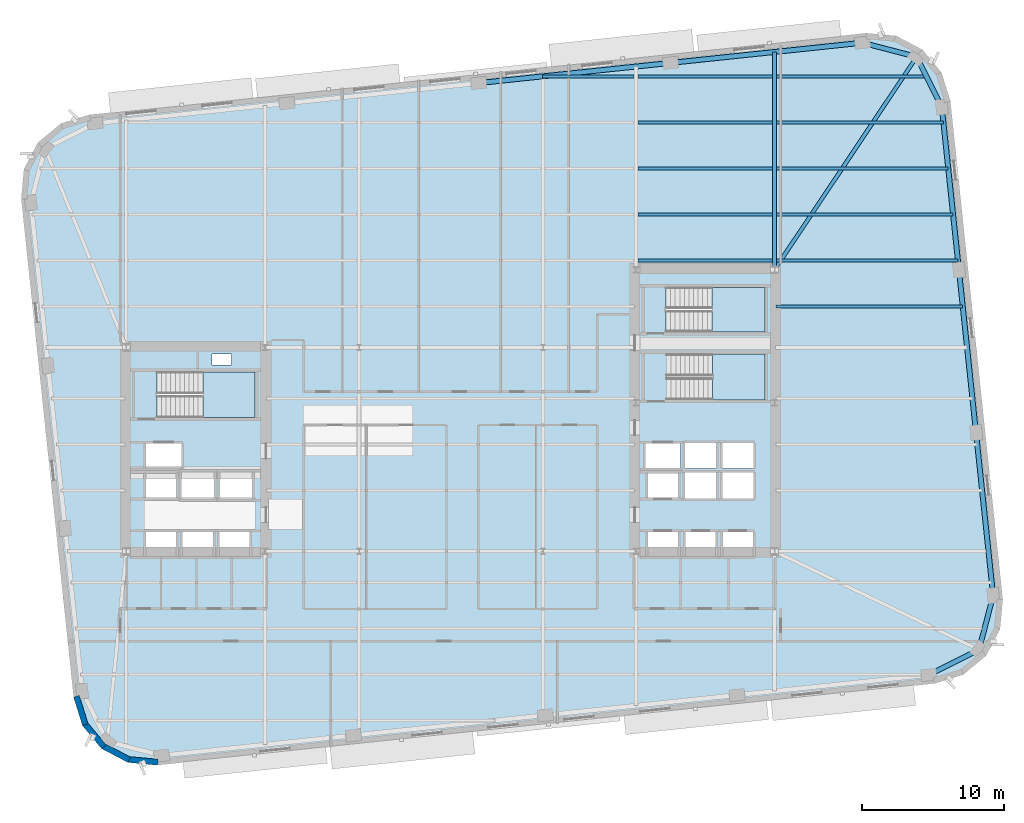
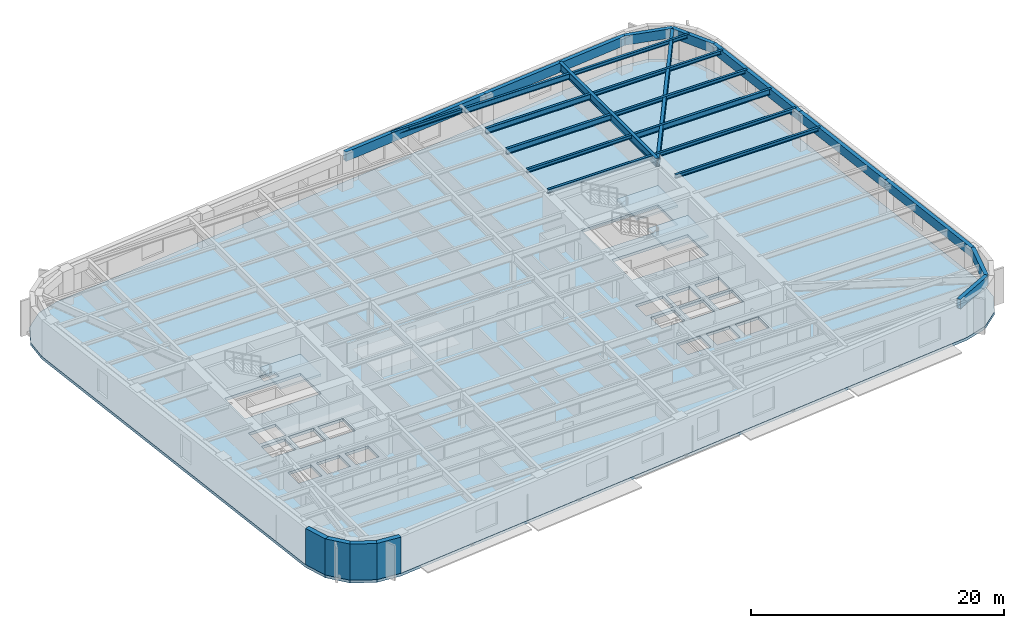
# One storey, part 3 of 15: 23 beams, 4 slabs, 4 walls, 3 elements without a shape of their own.
"""IFC4 building model written with IfcOpenShell, lengths in metres."""

from ifc_helpers import new_model, si_unit, direction, frame, frame_2d, origin, origin_2d, place, context, subcontext, project, spatial, polyline, rectangle, hollow_rectangle, i_section, outline, extrude, material, layer, layer_set, material_profile, profile_set, type_object, element, aggregate, save


model = new_model("IFC4")

# Units and contexts
model_context = context("Model", 3, precision=1e-05, world=origin(), true_north=direction((0.0, 1.0)))
body_context = subcontext(model_context, "Body", "Model", "MODEL_VIEW")
ifc_project = project(units=[si_unit("LENGTHUNIT", "METRE"), si_unit("AREAUNIT", "SQUARE_METRE"), si_unit("VOLUMEUNIT", "CUBIC_METRE"), si_unit("PLANEANGLEUNIT", "RADIAN"), si_unit("MASSUNIT", "GRAM", prefix="KILO")], contexts=[model_context])

# Site, building, storey
site_placement = place(None, origin())
site = spatial("IfcSite", under=ifc_project, at=site_placement, CompositionType="ELEMENT")
building_placement = place(site_placement, origin())
building = spatial("IfcBuilding", under=site, at=building_placement, Name="Kolvaren Arena Tower", CompositionType="ELEMENT")
storey_placement = place(building_placement, frame((0.0, 0.0, 107.199951171875)))
storey = spatial("IfcBuildingStorey", under=building, at=storey_placement, Name="L24", CompositionType="ELEMENT", Elevation=107.199951171875)

# Beams
ifc_material_1 = material(Name="Steel CSA G40.21 350W", Category="steel")
ifc_material_profile_1 = material_profile(ifc_material_1, i_section(OverallWidth=0.2119140625, OverallDepth=0.54296875, WebThickness=0.01318359375, FlangeThickness=0.0244140625, FilletRadius=0.013916015625, at=origin_2d()), Name="W530x150")
ifc_profile_set_1 = profile_set([ifc_material_profile_1], Name="Steel CSA G40.21 350W")
beam_type_1 = type_object("IfcBeamType", Name="BEAM-F1", PredefinedType="BEAM", material=ifc_profile_set_1)
beam_1_placement = place(storey_placement, frame((60.485107421875, 43.25, 3.20849609375), z_axis=(1.0, 0.0, 0.0), x_axis=(0.0, 1.0, 0.0)))
element("IfcBeam", 1, at=beam_1_placement, inside=storey, type_object=beam_type_1, Name="Composite Floor Beam (L24)", PredefinedType="BEAM", context=body_context, shape_type="SweptSolid", body=[
    extrude(i_section(OverallWidth=0.2119140625, OverallDepth=0.54296875, WebThickness=0.01318359375, FlangeThickness=0.0244140625, FilletRadius=0.013916015625, at=origin_2d()), origin(), (0.0, 0.0, 1.0), 12.471435546875),
])
for number, where, z_axis, x_axis, name in (
    (2, (50.68505859375, 46.5, 3.20849609375), (1.0, 0.0, 0.0), (0.0, 1.0, 0.0), "Composite Floor Beam (L24)"),
    (3, (50.68505859375, 49.75, 3.20849609375), (1.0, 0.0, 0.0), (0.0, 1.0, 0.0), "Composite Floor Beam (L24)"),
    (4, (50.68505859375, 53.0, 3.20849609375), (1.0, 0.0, 0.0), (0.0, 1.0, 0.0), "Composite Floor Beam (L24)"),
):
    element("IfcBeam", number, at=place(storey_placement, frame(where, z_axis=z_axis, x_axis=x_axis)), inside=storey, type_object=beam_type_1, Name=name, PredefinedType="BEAM", context=body_context, shape_type="SweptSolid", body=[
        extrude(i_section(OverallWidth=0.2119140625, OverallDepth=0.54296875, WebThickness=0.01318359375, FlangeThickness=0.0244140625, FilletRadius=0.013916015625, at=origin_2d()), origin(), (0.0, 0.0, 1.0), 9.530029296875),
    ])
ifc_material_profile_2 = material_profile(ifc_material_1, i_section(OverallWidth=0.27001953125, OverallDepth=0.77294921875, WebThickness=0.019287109375, FlangeThickness=0.033447265625, FilletRadius=0.01806640625, at=origin_2d()), Name="W760x257")
ifc_profile_set_2 = profile_set([ifc_material_profile_2], Name="Steel CSA G40.21 350W")
beam_type_2 = type_object("IfcBeamType", Name="GIRD-T1", PredefinedType="BEAM", material=ifc_profile_set_2)
beam_2_placement = place(storey_placement, frame((70.387939453125, 54.37939453125, 3.093505859375), z_axis=(-0.555401401293, -0.831582397266, 0.0), x_axis=(0.831582397266, -0.555401401293, 0.0)))
element("IfcBeam", 5, at=beam_2_placement, inside=storey, type_object=beam_type_2, Name="Corner Diagonal Tie Girder (L24)", PredefinedType="BEAM", context=body_context, shape_type="SweptSolid", body=[
    extrude(i_section(OverallWidth=0.27001953125, OverallDepth=0.77294921875, WebThickness=0.019287109375, FlangeThickness=0.033447265625, FilletRadius=0.01806640625, at=origin_2d()), origin(), (0.0, 0.0, 1.0), 18.0732421875),
])
beam_3_placement = place(storey_placement, frame((60.35009765625, 39.405029296875, 3.093505859375), z_axis=(0.0, 1.0, 0.0), x_axis=(-1.0, 0.0, 0.0)))
element("IfcBeam", 6, at=beam_3_placement, inside=storey, type_object=beam_type_2, Name="Primary Floor Girder (L24)", PredefinedType="BEAM", context=body_context, shape_type="SweptSolid", body=[
    extrude(i_section(OverallWidth=0.27001953125, OverallDepth=0.77294921875, WebThickness=0.019287109375, FlangeThickness=0.033447265625, FilletRadius=0.01806640625, at=origin_2d()), origin(), (0.0, 0.0, 1.0), 15.318359375),
])
ifc_material_profile_3 = material_profile(ifc_material_1, i_section(OverallWidth=0.202880859375, OverallDepth=0.346923828125, WebThickness=0.0078125, FlangeThickness=0.013427734375, FilletRadius=0.010986328125, at=origin_2d()), Name="W360x64")
ifc_profile_set_3 = profile_set([ifc_material_profile_3], Name="Steel CSA G40.21 350W")
beam_type_3 = type_object("IfcBeamType", Name="JOIST-01", PredefinedType="JOIST", material=ifc_profile_set_3)
beam_4_placement = place(storey_placement, frame((60.445068359375, 36.75, 3.306640625), z_axis=(1.0, 0.0, 0.0), x_axis=(0.0, 1.0, 0.0)))
element("IfcBeam", 7, at=beam_4_placement, inside=storey, type_object=beam_type_3, Name="Composite Floor Joist (L24)", PredefinedType="JOIST", context=body_context, shape_type="SweptSolid", body=[
    extrude(i_section(OverallWidth=0.202880859375, OverallDepth=0.346923828125, WebThickness=0.0078125, FlangeThickness=0.013427734375, FilletRadius=0.010986328125, at=origin_2d()), origin(), (0.0, 0.0, 1.0), 13.19482421875),
])
beam_5_placement = place(storey_placement, frame((50.68505859375, 40.0, 3.306640625), z_axis=(1.0, 0.0, 0.0), x_axis=(0.0, 1.0, 0.0)))
element("IfcBeam", 8, at=beam_5_placement, inside=storey, type_object=beam_type_3, Name="Composite Floor Joist (L24)", PredefinedType="JOIST", context=body_context, shape_type="SweptSolid", body=[
    extrude(i_section(OverallWidth=0.202880859375, OverallDepth=0.346923828125, WebThickness=0.0078125, FlangeThickness=0.013427734375, FilletRadius=0.010986328125, at=origin_2d()), origin(), (0.0, 0.0, 1.0), 9.530029296875),
])
beam_6_placement = place(storey_placement, frame((60.485107421875, 40.0, 3.306640625), z_axis=(1.0, 0.0, 0.0), x_axis=(0.0, 1.0, 0.0)))
element("IfcBeam", 9, at=beam_6_placement, inside=storey, type_object=beam_type_3, Name="Composite Floor Joist (L24)", PredefinedType="JOIST", context=body_context, shape_type="SweptSolid", body=[
    extrude(i_section(OverallWidth=0.202880859375, OverallDepth=0.346923828125, WebThickness=0.0078125, FlangeThickness=0.013427734375, FilletRadius=0.010986328125, at=origin_2d()), origin(), (0.0, 0.0, 1.0), 12.81298828125),
])
beam_7_placement = place(storey_placement, frame((50.68505859375, 43.25, 3.306640625), z_axis=(1.0, 0.0, 0.0), x_axis=(0.0, 1.0, 0.0)))
element("IfcBeam", 10, at=beam_7_placement, inside=storey, type_object=beam_type_3, Name="Composite Floor Joist (L24)", PredefinedType="JOIST", context=body_context, shape_type="SweptSolid", body=[
    extrude(i_section(OverallWidth=0.202880859375, OverallDepth=0.346923828125, WebThickness=0.0078125, FlangeThickness=0.013427734375, FilletRadius=0.010986328125, at=origin_2d()), origin(), (0.0, 0.0, 1.0), 9.530029296875),
])
beam_8_placement = place(storey_placement, frame((60.485107421875, 46.5, 3.306640625), z_axis=(1.0, 0.0, 0.0), x_axis=(0.0, 1.0, 0.0)))
element("IfcBeam", 11, at=beam_8_placement, inside=storey, type_object=beam_type_3, Name="Composite Floor Joist (L24)", PredefinedType="JOIST", context=body_context, shape_type="SweptSolid", body=[
    extrude(i_section(OverallWidth=0.202880859375, OverallDepth=0.346923828125, WebThickness=0.0078125, FlangeThickness=0.013427734375, FilletRadius=0.010986328125, at=origin_2d()), origin(), (0.0, 0.0, 1.0), 12.1298828125),
])
beam_9_placement = place(storey_placement, frame((60.485107421875, 49.75, 3.306640625), z_axis=(1.0, 0.0, 0.0), x_axis=(0.0, 1.0, 0.0)))
element("IfcBeam", 12, at=beam_9_placement, inside=storey, type_object=beam_type_3, Name="Composite Floor Joist (L24)", PredefinedType="JOIST", context=body_context, shape_type="SweptSolid", body=[
    extrude(i_section(OverallWidth=0.202880859375, OverallDepth=0.346923828125, WebThickness=0.0078125, FlangeThickness=0.013427734375, FilletRadius=0.010986328125, at=origin_2d()), origin(), (0.0, 0.0, 1.0), 11.788330078125),
])
beam_10_placement = place(storey_placement, frame((43.95361328125, 53.0, 3.306640625), z_axis=(1.0, 0.0, 0.0), x_axis=(0.0, 1.0, 0.0)))
element("IfcBeam", 13, at=beam_10_placement, inside=storey, type_object=beam_type_3, Name="Composite Floor Joist (L24)", PredefinedType="JOIST", context=body_context, shape_type="SweptSolid", body=[
    extrude(i_section(OverallWidth=0.202880859375, OverallDepth=0.346923828125, WebThickness=0.0078125, FlangeThickness=0.013427734375, FilletRadius=0.010986328125, at=origin_2d()), origin(), (0.0, 0.0, 1.0), 6.46142578125),
])
beam_11_placement = place(storey_placement, frame((60.485107421875, 53.0, 3.306640625), z_axis=(1.0, 0.0, 0.0), x_axis=(0.0, 1.0, 0.0)))
element("IfcBeam", 14, at=beam_11_placement, inside=storey, type_object=beam_type_3, Name="Composite Floor Joist (L24)", PredefinedType="JOIST", context=body_context, shape_type="SweptSolid", body=[
    extrude(i_section(OverallWidth=0.202880859375, OverallDepth=0.346923828125, WebThickness=0.0078125, FlangeThickness=0.013427734375, FilletRadius=0.010986328125, at=origin_2d()), origin(), (0.0, 0.0, 1.0), 10.592529296875),
])
ifc_material_2 = material(Name="Steel CSA G40.21 350WT", Category="steel")
ifc_material_profile_4 = material_profile(ifc_material_2, hollow_rectangle(XDim=0.35009765625, YDim=0.89990234375, WallThickness=0.02001953125, at=origin_2d()), Name="HSS 900x350x20")
ifc_profile_set_4 = profile_set([ifc_material_profile_4], Name="Steel CSA G40.21 350WT")
beam_type_4 = type_object("IfcBeamType", Name="SPAND-01", PredefinedType="SPANDREL", material=ifc_profile_set_4)
for number, where, z_axis, x_axis, name in (
    (15, (71.247314453125, 10.721435546875, 3.030029296875), (0.894451843771, 0.44716428656, 0.0), (-0.44716428656, 0.894451843771, 0.0), "Perimeter Spandrel Beam (L24)"),
    (16, (74.790283203125, 12.49267578125, 3.030029296875), (0.251473350892, 0.967864222808, 0.0), (-0.967864222808, 0.251473350892, 0.0), "Perimeter Spandrel Beam (L24)"),
):
    element("IfcBeam", number, at=place(storey_placement, frame(where, z_axis=z_axis, x_axis=x_axis)), inside=storey, type_object=beam_type_4, Name=name, PredefinedType="SPANDREL", context=body_context, shape_type="SweptSolid", body=[
        extrude(hollow_rectangle(XDim=0.35009765625, YDim=0.89990234375, WallThickness=0.02001953125, at=origin_2d()), origin(), (0.0, 0.0, 1.0), 3.9609375),
    ])
beam_12_placement = place(storey_placement, frame((75.786376953125, 16.326416015625, 3.030029296875), z_axis=(-0.104522171998, 0.994522556587, 0.0), x_axis=(-0.994522556587, -0.104522171998, 0.0)))
element("IfcBeam", 17, at=beam_12_placement, inside=storey, type_object=beam_type_4, Name="Perimeter Spandrel Beam (L24)", PredefinedType="SPANDREL", context=body_context, shape_type="SweptSolid", body=[
    extrude(hollow_rectangle(XDim=0.35009765625, YDim=0.89990234375, WallThickness=0.02001953125, at=origin_2d()), origin(), (0.0, 0.0, 1.0), 11.56689453125),
])
beam_13_placement = place(storey_placement, frame((74.577392578125, 27.829833984375, 3.030029296875), z_axis=(-0.104524366116, 0.994522325988, 0.0), x_axis=(-0.994522325988, -0.104524366116, 0.0)))
element("IfcBeam", 18, at=beam_13_placement, inside=storey, type_object=beam_type_4, Name="Perimeter Spandrel Beam (L24)", PredefinedType="SPANDREL", context=body_context, shape_type="SweptSolid", body=[
    extrude(hollow_rectangle(XDim=0.35009765625, YDim=0.89990234375, WallThickness=0.02001953125, at=origin_2d()), origin(), (0.0, 0.0, 1.0), 11.566650390625),
])
beam_14_placement = place(storey_placement, frame((73.368408203125, 39.3330078125, 3.030029296875), z_axis=(-0.104543048399, 0.994520362301, 0.0), x_axis=(-0.994520362301, -0.104543048399, 0.0)))
element("IfcBeam", 19, at=beam_14_placement, inside=storey, type_object=beam_type_4, Name="Perimeter Spandrel Beam (L24)", PredefinedType="SPANDREL", context=body_context, shape_type="SweptSolid", body=[
    extrude(hollow_rectangle(XDim=0.35009765625, YDim=0.89990234375, WallThickness=0.02001953125, at=origin_2d()), origin(), (0.0, 0.0, 1.0), 11.56689453125),
])
for number, where, z_axis, x_axis, name in (
    (20, (72.1591796875, 50.83642578125, 3.030029296875), (-0.44716428656, 0.894451843771, 0.0), (-0.894451843771, -0.44716428656, 0.0), "Perimeter Spandrel Beam (L24)"),
    (21, (70.387939453125, 54.37939453125, 3.030029296875), (-0.967864222808, 0.251473350892, 0.0), (-0.251473350892, -0.967864222808, 0.0), "Perimeter Spandrel Beam (L24)"),
):
    element("IfcBeam", number, at=place(storey_placement, frame(where, z_axis=z_axis, x_axis=x_axis)), inside=storey, type_object=beam_type_4, Name=name, PredefinedType="SPANDREL", context=body_context, shape_type="SweptSolid", body=[
        extrude(hollow_rectangle(XDim=0.35009765625, YDim=0.89990234375, WallThickness=0.02001953125, at=origin_2d()), origin(), (0.0, 0.0, 1.0), 3.9609375),
    ])
beam_15_placement = place(storey_placement, frame((66.55419921875, 55.37548828125, 3.030029296875), z_axis=(-0.994521150946, -0.104535545729, 0.0), x_axis=(0.104535545729, -0.994521150946, 0.0)))
element("IfcBeam", 22, at=beam_15_placement, inside=storey, type_object=beam_type_4, Name="Perimeter Spandrel Beam (L24)", PredefinedType="SPANDREL", context=body_context, shape_type="SweptSolid", body=[
    extrude(hollow_rectangle(XDim=0.35009765625, YDim=0.89990234375, WallThickness=0.02001953125, at=origin_2d()), origin(), (0.0, 0.0, 1.0), 13.625244140625),
])
beam_16_placement = place(storey_placement, frame((53.003662109375, 53.951171875, 3.030029296875), z_axis=(-0.994522817887, -0.104519685718, 0.0), x_axis=(0.104519685718, -0.994522817887, 0.0)))
element("IfcBeam", 23, at=beam_16_placement, inside=storey, type_object=beam_type_4, Name="Perimeter Spandrel Beam (L24)", PredefinedType="SPANDREL", context=body_context, shape_type="SweptSolid", body=[
    extrude(hollow_rectangle(XDim=0.35009765625, YDim=0.89990234375, WallThickness=0.02001953125, at=origin_2d()), origin(), (0.0, 0.0, 1.0), 13.625),
])

# Stair, slab
ifc_material_3 = material(Name="Concrete 45 MPa", Category="concrete")
stair_type_1 = type_object("IfcStairType", Name="STAIR-CORE-165", PredefinedType="HALF_TURN_STAIR", material=ifc_material_3)
stair_1_placement = place(storey_placement, origin())
stair_1 = element("IfcStair", 24, at=stair_1_placement, inside=storey, type_object=stair_type_1, Name="L24 ST-W1", PredefinedType="HALF_TURN_STAIR")
ifc_layer_1 = layer(ifc_material_3, 0.199951171875)
ifc_layer_set_1 = layer_set([ifc_layer_1], Name="Concrete 45 MPa")
slab_type_1 = type_object("IfcSlabType", Name="SLAB-LAND", PredefinedType="LANDING", material=ifc_layer_set_1)
slab_1_placement = place(storey_placement, frame((0.0, 0.0, 1.675048828125)))
slab_1 = element("IfcSlab", 25, at=slab_1_placement, type_object=slab_type_1, Name="ST-W1 landing 1", PredefinedType="LANDING", context=body_context, shape_type="SweptSolid", body=[
    extrude(outline(polyline([(19.9599609375, 28.89990234375), (23.659912109375, 28.89990234375), (23.659912109375, 32.1298828125), (19.9599609375, 32.1298828125), (19.9599609375, 28.89990234375)])), origin(), (0.0, 0.0, 1.0), 0.199951171875),
])
aggregate(stair_1, [slab_1])

stair_2_placement = place(storey_placement, origin())
stair_2 = element("IfcStair", 26, at=stair_2_placement, inside=storey, type_object=stair_type_1, Name="L24 ST-E1", PredefinedType="HALF_TURN_STAIR")
slab_2_placement = place(storey_placement, frame((0.0, 0.0, 1.675048828125)))
slab_2 = element("IfcSlab", 27, at=slab_2_placement, type_object=slab_type_1, Name="ST-E1 landing 1", PredefinedType="LANDING", context=body_context, shape_type="SweptSolid", body=[
    extrude(outline(polyline([(55.9599609375, 30.14990234375), (59.659912109375, 30.14990234375), (59.659912109375, 33.3798828125), (55.9599609375, 33.3798828125), (55.9599609375, 30.14990234375)])), origin(), (0.0, 0.0, 1.0), 0.199951171875),
])
aggregate(stair_2, [slab_2])

stair_type_2 = type_object("IfcStairType", Name="STAIR-CORE-150", PredefinedType="HALF_TURN_STAIR", material=ifc_material_3)
stair_3_placement = place(storey_placement, origin())
stair_3 = element("IfcStair", 28, at=stair_3_placement, inside=storey, type_object=stair_type_2, Name="L24 ST-E2", PredefinedType="HALF_TURN_STAIR")
slab_3_placement = place(storey_placement, frame((0.0, 0.0, 1.675048828125)))
slab_3 = element("IfcSlab", 29, at=slab_3_placement, type_object=slab_type_1, Name="ST-E2 landing 1", PredefinedType="LANDING", context=body_context, shape_type="SweptSolid", body=[
    extrude(outline(polyline([(55.919921875, 34.949951171875), (59.659912109375, 34.949951171875), (59.659912109375, 38.10009765625), (55.919921875, 38.10009765625), (55.919921875, 34.949951171875)])), origin(), (0.0, 0.0, 1.0), 0.199951171875),
])
aggregate(stair_3, [slab_3])

# Slab
ifc_layer_2 = layer(ifc_material_3, 0.27001953125)
ifc_layer_set_2 = layer_set([ifc_layer_2], Name="Concrete 45 MPa")
slab_type_2 = type_object("IfcSlabType", Name="SLAB-OFF2", PredefinedType="FLOOR", material=ifc_layer_set_2)
slab_4_placement = place(storey_placement, frame((0.0, 0.0, -0.27001953125)))
element("IfcSlab", 30, at=slab_4_placement, inside=storey, type_object=slab_type_2, Name="L24 Primary Structural Slab", PredefinedType="FLOOR", context=body_context, shape_type="SweptSolid", body=[
    extrude(outline(polyline([(71.663330078125, 10.111572265625), (73.675537109375, 10.736328125), (75.29541015625, 12.08349609375), (76.276611328125, 13.9482421875), (76.469482421875, 16.04638671875), (72.76904296875, 51.25244140625), (72.144287109375, 53.2646484375), (70.797119140625, 54.884521484375), (68.932373046875, 55.865478515625), (66.834228515625, 56.058349609375), (11.9365234375, 50.28857421875), (9.92431640625, 49.663818359375), (8.304443359375, 48.31640625), (7.323486328125, 46.45166015625), (7.130615234375, 44.353515625), (10.830810546875, 9.1474609375), (11.455810546875, 7.13525390625), (12.802978515625, 5.515380859375), (14.667724609375, 4.534423828125), (16.765869140625, 4.341552734375), (71.663330078125, 10.111572265625)]), holes=[polyline([(15.93505859375, 19.0849609375), (15.93505859375, 20.81494140625), (18.06494140625, 20.81494140625), (18.06494140625, 19.0849609375), (15.93505859375, 19.0849609375)]), polyline([(18.534912109375, 19.0849609375), (18.534912109375, 20.81494140625), (20.6650390625, 20.81494140625), (20.6650390625, 19.0849609375), (18.534912109375, 19.0849609375)]), polyline([(21.135009765625, 19.0849609375), (21.135009765625, 20.81494140625), (23.264892578125, 20.81494140625), (23.264892578125, 19.0849609375), (21.135009765625, 19.0849609375)]), polyline([(51.39501953125, 19.0849609375), (51.39501953125, 20.81494140625), (53.52490234375, 20.81494140625), (53.52490234375, 19.0849609375), (51.39501953125, 19.0849609375)]), polyline([(54.054931640625, 19.0849609375), (54.054931640625, 20.81494140625), (56.18505859375, 20.81494140625), (56.18505859375, 19.0849609375), (54.054931640625, 19.0849609375)]), polyline([(56.695068359375, 19.0849609375), (56.695068359375, 20.81494140625), (58.824951171875, 20.81494140625), (58.824951171875, 19.0849609375), (56.695068359375, 19.0849609375)]), polyline([(18.4599609375, 25.06494140625), (20.739990234375, 25.06494140625), (20.739990234375, 23.135009765625), (18.4599609375, 23.135009765625), (18.4599609375, 25.06494140625)]), polyline([(21.159912109375, 23.135009765625), (21.159912109375, 25.06494140625), (23.43994140625, 25.06494140625), (23.43994140625, 23.135009765625), (21.159912109375, 23.135009765625)]), polyline([(54.030029296875, 25.014892578125), (56.2099609375, 25.014892578125), (56.2099609375, 23.18505859375), (54.030029296875, 23.18505859375), (54.030029296875, 25.014892578125)]), polyline([(56.669921875, 25.014892578125), (58.85009765625, 25.014892578125), (58.85009765625, 23.18505859375), (56.669921875, 23.18505859375), (56.669921875, 25.014892578125)]), polyline([(15.93505859375, 24.965087890625), (18.06494140625, 24.965087890625), (18.06494140625, 23.235107421875), (15.93505859375, 23.235107421875), (15.93505859375, 24.965087890625)]), polyline([(51.39501953125, 23.235107421875), (51.39501953125, 24.965087890625), (53.52490234375, 24.965087890625), (53.52490234375, 23.235107421875), (51.39501953125, 23.235107421875)]), polyline([(54.030029296875, 25.284912109375), (54.030029296875, 27.114990234375), (56.2099609375, 27.114990234375), (56.2099609375, 25.284912109375), (54.030029296875, 25.284912109375)]), polyline([(56.669921875, 25.284912109375), (56.669921875, 27.114990234375), (58.85009765625, 27.114990234375), (58.85009765625, 25.284912109375), (56.669921875, 25.284912109375)]), polyline([(15.9599609375, 25.3349609375), (15.9599609375, 27.06494140625), (18.43994140625, 27.06494140625), (18.43994140625, 25.3349609375), (15.9599609375, 25.3349609375)]), polyline([(51.219970703125, 25.3349609375), (51.219970703125, 27.06494140625), (53.699951171875, 27.06494140625), (53.699951171875, 25.3349609375), (51.219970703125, 25.3349609375)]), polyline([(16.735107421875, 32.1298828125), (23.659912109375, 32.1298828125), (23.659912109375, 28.89990234375), (16.735107421875, 28.89990234375), (16.735107421875, 32.1298828125)]), polyline([(52.735107421875, 33.3798828125), (59.659912109375, 33.3798828125), (59.659912109375, 30.14990234375), (52.735107421875, 30.14990234375), (52.735107421875, 33.3798828125)]), polyline([(20.60009765625, 33.39990234375), (22.0, 33.39990234375), (22.0, 32.6201171875), (20.60009765625, 32.6201171875), (20.60009765625, 33.39990234375)]), polyline([(52.695068359375, 38.10009765625), (59.659912109375, 38.10009765625), (59.659912109375, 34.949951171875), (52.695068359375, 34.949951171875), (52.695068359375, 38.10009765625)])]), origin(), (0.0, 0.0, 1.0), 0.27001953125),
])

# Walls
ifc_material_4 = material(Name="Precast concrete C50/60", Category="concrete")
ifc_layer_3 = layer(ifc_material_4, 0.419921875)
ifc_layer_set_3 = layer_set([ifc_layer_3], Name="Precast concrete C50/60")
wall_type = type_object("IfcWallType", Name="EXT-PIER1", PredefinedType="SOLIDWALL", material=ifc_layer_set_3)
for number, where, z_axis, x_axis, name in (
    (31, (11.65625, 7.197509765625, 0.0), (0.0, 0.0, 1.0), (-0.296519484366, 0.955026803494, 0.0), "Exterior Precast Masonry-Frame Wall (L24)"),
    (32, (12.964599609375, 5.649658203125, 0.0), (0.0, 0.0, 1.0), (-0.639488914921, 0.768800317178, 0.0), "Exterior Precast Masonry-Frame Wall (L24)"),
    (33, (14.765380859375, 4.72021484375, 0.0), (0.0, 0.0, 1.0), (-0.884940843444, 0.465703450282, 0.0), "Exterior Precast Masonry-Frame Wall (L24)"),
):
    element("IfcWall", number, at=place(storey_placement, frame(where, z_axis=z_axis, x_axis=x_axis)), inside=storey, type_object=wall_type, Name=name, PredefinedType="SOLIDWALL", context=body_context, shape_type="SweptSolid", body=[
        extrude(rectangle(XDim=2.10693359375, YDim=0.419921875, at=frame_2d((1.053466796875, 0.0))), origin(), (0.0, 0.0, 1.0), 3.47998046875),
    ])
wall_placement = place(storey_placement, frame((16.784912109375, 4.55078125, 0.0), z_axis=(0.0, 0.0, 1.0), x_axis=(-0.995811110714, 0.091434303078, 0.0)))
element("IfcWall", 34, at=wall_placement, inside=storey, type_object=wall_type, Name="Exterior Precast Masonry-Frame Wall (L24)", PredefinedType="SOLIDWALL", context=body_context, shape_type="SweptSolid", body=[
    extrude(rectangle(XDim=2.106689453125, YDim=0.419921875, at=frame_2d((1.05322265625, 0.0))), origin(), (0.0, 0.0, 1.0), 3.47998046875),
])

save(model, "model.ifc")
